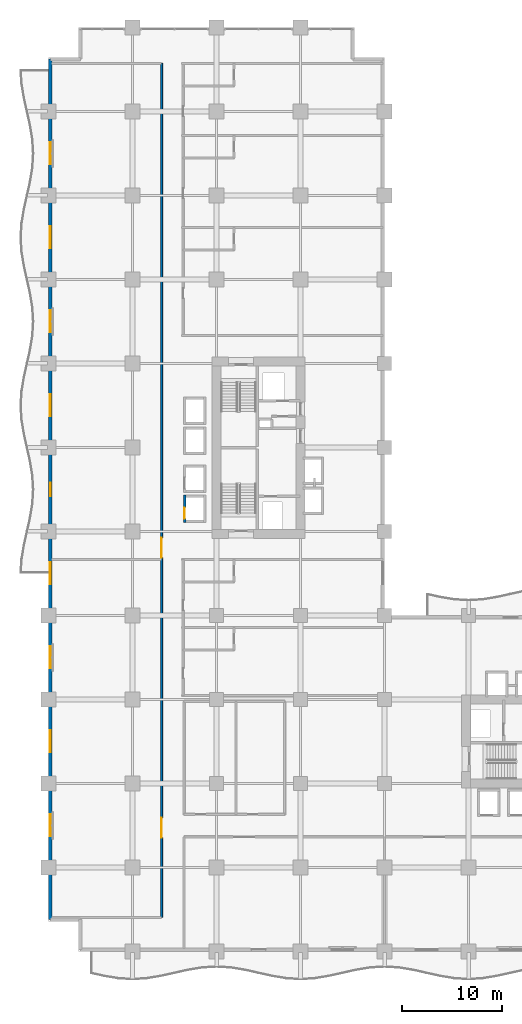
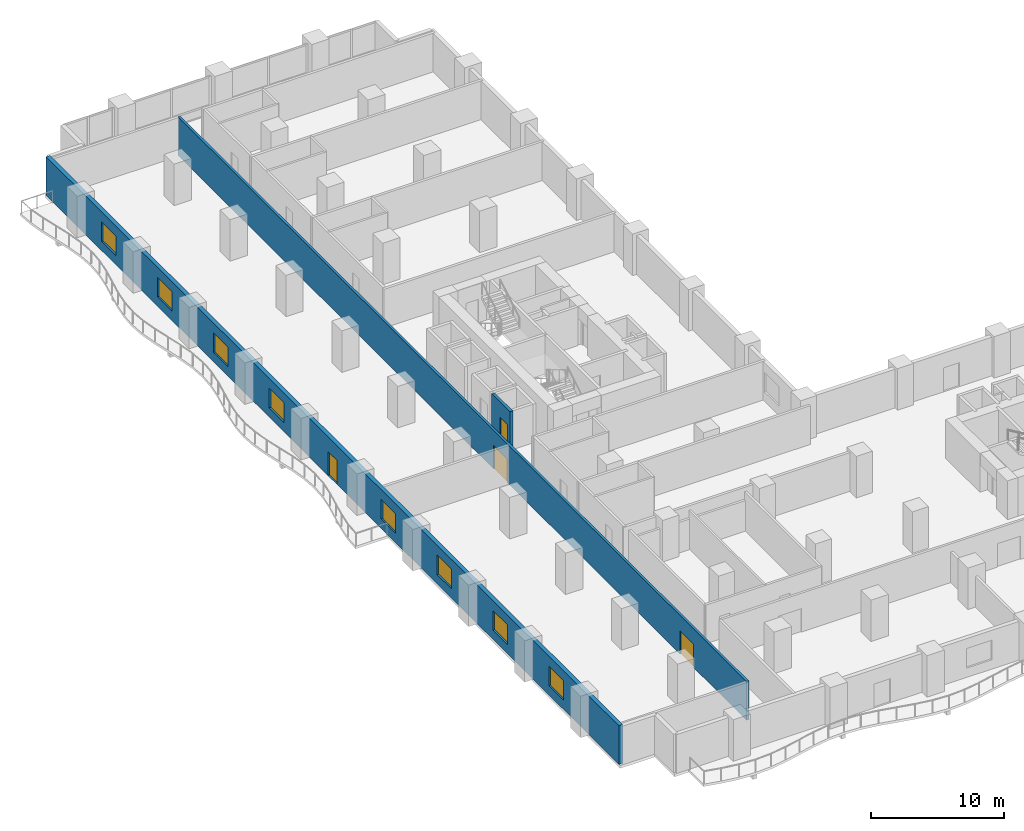
# One storey, part 10 of 21: 8 windows, 4 doors, 3 walls, 12 openings.
"""IFC4 building model written with IfcOpenShell, lengths in metres."""

from ifc_helpers import new_model, si_unit, direction, frame, frame_2d, origin, place, context, subcontext, project, spatial, rectangle, extrude, material, layer, layer_set, type_object, element, fill, save


model = new_model("IFC4")

# Units and contexts
model_context = context("Model", 3, precision=1e-05, world=origin(), true_north=direction((0.0, 1.0)))
body_context = subcontext(model_context, "Body", "Model", "MODEL_VIEW")
ifc_project = project(units=[si_unit("LENGTHUNIT", "METRE"), si_unit("AREAUNIT", "SQUARE_METRE"), si_unit("VOLUMEUNIT", "CUBIC_METRE"), si_unit("PLANEANGLEUNIT", "RADIAN"), si_unit("MASSUNIT", "GRAM", prefix="KILO")], contexts=[model_context])

# Site, building, storey
site_placement = place(None, origin())
site = spatial("IfcSite", under=ifc_project, at=site_placement, CompositionType="ELEMENT")
building_placement = place(site_placement, origin())
building = spatial("IfcBuilding", under=site, at=building_placement, Name="Koriwani Terraces Tower", CompositionType="ELEMENT")
storey_placement = place(building_placement, frame((0.0, 0.0, 77.60009765625)))
storey = spatial("IfcBuildingStorey", under=building, at=storey_placement, Name="L18", CompositionType="ELEMENT", Elevation=77.60009765625)

# Wall, openings, doors
ifc_material_1 = material(Name="Autoclaved Cellular Concrete Blockwork", Category="masonry")
ifc_layer_1 = layer(ifc_material_1, 0.199951171875, Name="Autoclaved Cellular Concrete Blockwork")
ifc_layer_set_1 = layer_set([ifc_layer_1], Name="Autoclaved Cellular Concrete Blockwork")
wall_type_1 = type_object("IfcWallType", Name="WALL_CORRIDOR_200", PredefinedType="PARTITIONING", material=ifc_layer_set_1)
wall_1_placement = place(storey_placement, frame((11.300048828125, 3.39990234375, 0.0), z_axis=(0.0, 0.0, 1.0), x_axis=(0.0, 1.0, 0.0)))
wall_1 = element("IfcWall", 1, at=wall_1_placement, inside=storey, type_object=wall_type_1, Name="L18 Interior Wall WZ1NWCL-L18", PredefinedType="PARTITIONING", context=body_context, shape_type="SweptSolid", body=[
    extrude(rectangle(XDim=85.400146484375, YDim=0.199951171875, at=frame_2d((42.7001953125, 0.0))), origin(), (0.0, 0.0, 1.0), 3.5498046875),
])
opening_1_placement = place(wall_1_placement, frame((8.0, 0.0, 0.0)))
opening_1 = element("IfcOpeningElement", 2, at=opening_1_placement, cuts=wall_1, Name="Opening D-02", PredefinedType="OPENING", context=body_context, shape_type="SweptSolid", body=[
    extrude(rectangle(XDim=2.0, YDim=2.14990234375, at=frame_2d((1.0, 1.074951171875))), frame((0.0, 0.10986328125, 0.0), z_axis=(0.0, -1.0, 0.0), x_axis=(1.0, 0.0, 0.0)), (0.0, 0.0, 1.0), 0.219970703125),
])
opening_2_placement = place(wall_1_placement, frame((36.0, 0.0, 0.0)))
opening_2 = element("IfcOpeningElement", 3, at=opening_2_placement, cuts=wall_1, Name="Opening D-02", PredefinedType="OPENING", context=body_context, shape_type="SweptSolid", body=[
    extrude(rectangle(XDim=2.0, YDim=2.14990234375, at=frame_2d((1.0, 1.074951171875))), frame((0.0, 0.10986328125, 0.0), z_axis=(0.0, -1.0, 0.0), x_axis=(1.0, 0.0, 0.0)), (0.0, 0.0, 1.0), 0.219970703125),
])
ifc_material_2 = material(Name="Anodised Bronze Aluminium", Category="aluminium")
door_type_1 = type_object("IfcDoorType", Name="DOOR_ENTRANCE_DOUBLE_2000X2400", OperationType="NOTDEFINED", PredefinedType="DOOR", material=ifc_material_2)
door_1_placement = place(opening_1_placement, origin())
door_1 = element("IfcDoor", 4, at=door_1_placement, inside=storey, type_object=door_type_1, Name="L18 Hotel Spa Wellness Hall Door", OperationType="SINGLE_SWING_RIGHT", OverallHeight=2.14990234375, OverallWidth=2.0, PredefinedType="DOOR", context=body_context, shape_type="SweptSolid", body=[
    extrude(rectangle(XDim=2.0, YDim=2.14990234375, at=frame_2d((1.0, 1.074951171875))), frame((0.0, 0.02490234375, 0.0), z_axis=(0.0, -1.0, 0.0), x_axis=(1.0, 0.0, 0.0)), (0.0, 0.0, 1.0), 0.050048828125),
])
fill(opening_1, door_1)
door_2_placement = place(opening_2_placement, origin())
door_2 = element("IfcDoor", 5, at=door_2_placement, inside=storey, type_object=door_type_1, Name="L18 Hotel Cinema Conference Door", OperationType="SINGLE_SWING_LEFT", OverallHeight=2.14990234375, OverallWidth=2.0, PredefinedType="DOOR", context=body_context, shape_type="SweptSolid", body=[
    extrude(rectangle(XDim=2.0, YDim=2.14990234375, at=frame_2d((1.0, 1.074951171875))), frame((0.0, 0.02490234375, 0.0), z_axis=(0.0, -1.0, 0.0), x_axis=(1.0, 0.0, 0.0)), (0.0, 0.0, 1.0), 0.050048828125),
])
fill(opening_2, door_2)

# Wall, openings, door, windows
ifc_material_3 = material(Name="Concrete C50/60", Category="concrete")
ifc_layer_2 = layer(ifc_material_3, 0.35009765625, Name="Concrete C50/60")
ifc_layer_set_2 = layer_set([ifc_layer_2], Name="Concrete C50/60")
wall_type_2 = type_object("IfcWallType", Name="WALL_EXT_BRUTALIST_350", PredefinedType="STANDARD", material=ifc_layer_set_2)
wall_2_placement = place(storey_placement, frame((0.175048828125, 3.175048828125, 0.0), z_axis=(0.0, 0.0, 1.0), x_axis=(0.0, 1.0, 0.0)))
wall_2 = element("IfcWall", 6, at=wall_2_placement, inside=storey, type_object=wall_type_2, Name="L18 Fair-Faced Brutalist Exterior Wall (W)", PredefinedType="STANDARD", context=body_context, shape_type="SweptSolid", body=[
    extrude(rectangle(XDim=86.050048828125, YDim=0.35009765625, at=frame_2d((43.02490234375, 0.0))), origin(), (0.0, 0.0, 1.0), 3.5498046875),
])
opening_3_placement = place(wall_2_placement, frame((42.324951171875, 0.0, 0.0)))
opening_3 = element("IfcOpeningElement", 7, at=opening_3_placement, cuts=wall_2, Name="Opening D-09", PredefinedType="OPENING", context=body_context, shape_type="SweptSolid", body=[
    extrude(rectangle(XDim=1.39990234375, YDim=2.199951171875, at=frame_2d((0.699951171875, 1.10009765625))), frame((0.0, 0.18505859375, 0.0), z_axis=(0.0, -1.0, 0.0), x_axis=(1.0, 0.0, 0.0)), (0.0, 0.0, 1.0), 0.3701171875),
])
opening_4_placement = place(wall_2_placement, frame((8.324951171875, 0.0, 0.85009765625)))
opening_4 = element("IfcOpeningElement", 8, at=opening_4_placement, cuts=wall_2, Name="Opening W-01", PredefinedType="OPENING", context=body_context, shape_type="SweptSolid", body=[
    extrude(rectangle(XDim=2.199951171875, YDim=1.800048828125, at=frame_2d((1.10009765625, 0.89990234375))), frame((0.0, 0.18505859375, 0.0), z_axis=(0.0, -1.0, 0.0), x_axis=(1.0, 0.0, 0.0)), (0.0, 0.0, 1.0), 0.3701171875),
])
opening_5_placement = place(wall_2_placement, frame((16.72509765625, 0.0, 0.85009765625)))
opening_5 = element("IfcOpeningElement", 9, at=opening_5_placement, cuts=wall_2, Name="Opening W-01", PredefinedType="OPENING", context=body_context, shape_type="SweptSolid", body=[
    extrude(rectangle(XDim=2.199951171875, YDim=1.800048828125, at=frame_2d((1.10009765625, 0.89990234375))), frame((0.0, 0.18505859375, 0.0), z_axis=(0.0, -1.0, 0.0), x_axis=(1.0, 0.0, 0.0)), (0.0, 0.0, 1.0), 0.3701171875),
])
opening_6_placement = place(wall_2_placement, frame((25.125, 0.0, 0.85009765625)))
opening_6 = element("IfcOpeningElement", 10, at=opening_6_placement, cuts=wall_2, Name="Opening W-01", PredefinedType="OPENING", context=body_context, shape_type="SweptSolid", body=[
    extrude(rectangle(XDim=2.199951171875, YDim=1.800048828125, at=frame_2d((1.10009765625, 0.89990234375))), frame((0.0, 0.18505859375, 0.0), z_axis=(0.0, -1.0, 0.0), x_axis=(1.0, 0.0, 0.0)), (0.0, 0.0, 1.0), 0.3701171875),
])
opening_7_placement = place(wall_2_placement, frame((33.52490234375, 0.0, 0.85009765625)))
opening_7 = element("IfcOpeningElement", 11, at=opening_7_placement, cuts=wall_2, Name="Opening W-01", PredefinedType="OPENING", context=body_context, shape_type="SweptSolid", body=[
    extrude(rectangle(XDim=2.199951171875, YDim=1.800048828125, at=frame_2d((1.10009765625, 0.89990234375))), frame((0.0, 0.18505859375, 0.0), z_axis=(0.0, -1.0, 0.0), x_axis=(1.0, 0.0, 0.0)), (0.0, 0.0, 1.0), 0.3701171875),
])
opening_8_placement = place(wall_2_placement, frame((50.324951171875, 0.0, 0.85009765625)))
opening_8 = element("IfcOpeningElement", 12, at=opening_8_placement, cuts=wall_2, Name="Opening W-01", PredefinedType="OPENING", context=body_context, shape_type="SweptSolid", body=[
    extrude(rectangle(XDim=2.199951171875, YDim=1.800048828125, at=frame_2d((1.10009765625, 0.89990234375))), frame((0.0, 0.18505859375, 0.0), z_axis=(0.0, -1.0, 0.0), x_axis=(1.0, 0.0, 0.0)), (0.0, 0.0, 1.0), 0.3701171875),
])
opening_9_placement = place(wall_2_placement, frame((58.72509765625, 0.0, 0.85009765625)))
opening_9 = element("IfcOpeningElement", 13, at=opening_9_placement, cuts=wall_2, Name="Opening W-01", PredefinedType="OPENING", context=body_context, shape_type="SweptSolid", body=[
    extrude(rectangle(XDim=2.199951171875, YDim=1.800048828125, at=frame_2d((1.10009765625, 0.89990234375))), frame((0.0, 0.18505859375, 0.0), z_axis=(0.0, -1.0, 0.0), x_axis=(1.0, 0.0, 0.0)), (0.0, 0.0, 1.0), 0.3701171875),
])
opening_10_placement = place(wall_2_placement, frame((67.125, 0.0, 0.85009765625)))
opening_10 = element("IfcOpeningElement", 14, at=opening_10_placement, cuts=wall_2, Name="Opening W-01", PredefinedType="OPENING", context=body_context, shape_type="SweptSolid", body=[
    extrude(rectangle(XDim=2.199951171875, YDim=1.800048828125, at=frame_2d((1.10009765625, 0.89990234375))), frame((0.0, 0.18505859375, 0.0), z_axis=(0.0, -1.0, 0.0), x_axis=(1.0, 0.0, 0.0)), (0.0, 0.0, 1.0), 0.3701171875),
])
opening_11_placement = place(wall_2_placement, frame((75.52490234375, 0.0, 0.85009765625)))
opening_11 = element("IfcOpeningElement", 15, at=opening_11_placement, cuts=wall_2, Name="Opening W-01", PredefinedType="OPENING", context=body_context, shape_type="SweptSolid", body=[
    extrude(rectangle(XDim=2.199951171875, YDim=1.800048828125, at=frame_2d((1.10009765625, 0.89990234375))), frame((0.0, 0.18505859375, 0.0), z_axis=(0.0, -1.0, 0.0), x_axis=(1.0, 0.0, 0.0)), (0.0, 0.0, 1.0), 0.3701171875),
])
door_type_2 = type_object("IfcDoorType", Name="DOOR_BALCONY_GLAZED_1400X2200", OperationType="NOTDEFINED", PredefinedType="DOOR", material=ifc_material_2)
door_3_placement = place(opening_3_placement, origin())
door_3 = element("IfcDoor", 16, at=door_3_placement, inside=storey, type_object=door_type_2, Name="L18 West Balcony Glazed Door", OperationType="SINGLE_SWING_LEFT", OverallHeight=2.199951171875, OverallWidth=1.39990234375, PredefinedType="DOOR", context=body_context, shape_type="SweptSolid", body=[
    extrude(rectangle(XDim=1.39990234375, YDim=2.199951171875, at=frame_2d((0.699951171875, 1.10009765625))), frame((0.0, 0.02490234375, 0.0), z_axis=(0.0, -1.0, 0.0), x_axis=(1.0, 0.0, 0.0)), (0.0, 0.0, 1.0), 0.050048828125),
])
fill(opening_3, door_3)
ifc_material_4 = material(Name="Tempered Laminated Low-E Glass", Category="glass")
window_type = type_object("IfcWindowType", Name="WIN_HOTEL_STD_2200X1800", PartitioningType="DOUBLE_PANEL_VERTICAL", PredefinedType="WINDOW", material=ifc_material_4)
window_1_placement = place(opening_4_placement, origin())
window_1 = element("IfcWindow", 17, at=window_1_placement, inside=storey, type_object=window_type, Name="L18 Exterior Window (W-3)", OverallHeight=1.800048828125, OverallWidth=2.199951171875, PartitioningType="SINGLE_PANEL", PredefinedType="WINDOW", context=body_context, shape_type="SweptSolid", body=[
    extrude(rectangle(XDim=2.199951171875, YDim=1.800048828125, at=frame_2d((1.10009765625, 0.89990234375))), frame((0.0, 0.030029296875, 0.0), z_axis=(0.0, -1.0, 0.0), x_axis=(1.0, 0.0, 0.0)), (0.0, 0.0, 1.0), 0.06005859375),
])
fill(opening_4, window_1)
window_2_placement = place(opening_5_placement, origin())
window_2 = element("IfcWindow", 18, at=window_2_placement, inside=storey, type_object=window_type, Name="L18 Exterior Window (W-6)", OverallHeight=1.800048828125, OverallWidth=2.199951171875, PartitioningType="SINGLE_PANEL", PredefinedType="WINDOW", context=body_context, shape_type="SweptSolid", body=[
    extrude(rectangle(XDim=2.199951171875, YDim=1.800048828125, at=frame_2d((1.10009765625, 0.89990234375))), frame((0.0, 0.030029296875, 0.0), z_axis=(0.0, -1.0, 0.0), x_axis=(1.0, 0.0, 0.0)), (0.0, 0.0, 1.0), 0.06005859375),
])
fill(opening_5, window_2)
window_3_placement = place(opening_6_placement, origin())
window_3 = element("IfcWindow", 19, at=window_3_placement, inside=storey, type_object=window_type, Name="L18 Exterior Window (W-9)", OverallHeight=1.800048828125, OverallWidth=2.199951171875, PartitioningType="SINGLE_PANEL", PredefinedType="WINDOW", context=body_context, shape_type="SweptSolid", body=[
    extrude(rectangle(XDim=2.199951171875, YDim=1.800048828125, at=frame_2d((1.10009765625, 0.89990234375))), frame((0.0, 0.030029296875, 0.0), z_axis=(0.0, -1.0, 0.0), x_axis=(1.0, 0.0, 0.0)), (0.0, 0.0, 1.0), 0.06005859375),
])
fill(opening_6, window_3)
window_4_placement = place(opening_7_placement, origin())
window_4 = element("IfcWindow", 20, at=window_4_placement, inside=storey, type_object=window_type, Name="L18 Exterior Window (W-12)", OverallHeight=1.800048828125, OverallWidth=2.199951171875, PartitioningType="SINGLE_PANEL", PredefinedType="WINDOW", context=body_context, shape_type="SweptSolid", body=[
    extrude(rectangle(XDim=2.199951171875, YDim=1.800048828125, at=frame_2d((1.10009765625, 0.89990234375))), frame((0.0, 0.030029296875, 0.0), z_axis=(0.0, -1.0, 0.0), x_axis=(1.0, 0.0, 0.0)), (0.0, 0.0, 1.0), 0.06005859375),
])
fill(opening_7, window_4)
window_5_placement = place(opening_8_placement, origin())
window_5 = element("IfcWindow", 21, at=window_5_placement, inside=storey, type_object=window_type, Name="L18 Exterior Window (W-18)", OverallHeight=1.800048828125, OverallWidth=2.199951171875, PartitioningType="SINGLE_PANEL", PredefinedType="WINDOW", context=body_context, shape_type="SweptSolid", body=[
    extrude(rectangle(XDim=2.199951171875, YDim=1.800048828125, at=frame_2d((1.10009765625, 0.89990234375))), frame((0.0, 0.030029296875, 0.0), z_axis=(0.0, -1.0, 0.0), x_axis=(1.0, 0.0, 0.0)), (0.0, 0.0, 1.0), 0.06005859375),
])
fill(opening_8, window_5)
window_6_placement = place(opening_9_placement, origin())
window_6 = element("IfcWindow", 22, at=window_6_placement, inside=storey, type_object=window_type, Name="L18 Exterior Window (W-21)", OverallHeight=1.800048828125, OverallWidth=2.199951171875, PartitioningType="SINGLE_PANEL", PredefinedType="WINDOW", context=body_context, shape_type="SweptSolid", body=[
    extrude(rectangle(XDim=2.199951171875, YDim=1.800048828125, at=frame_2d((1.10009765625, 0.89990234375))), frame((0.0, 0.030029296875, 0.0), z_axis=(0.0, -1.0, 0.0), x_axis=(1.0, 0.0, 0.0)), (0.0, 0.0, 1.0), 0.06005859375),
])
fill(opening_9, window_6)
window_7_placement = place(opening_10_placement, origin())
window_7 = element("IfcWindow", 23, at=window_7_placement, inside=storey, type_object=window_type, Name="L18 Exterior Window (W-24)", OverallHeight=1.800048828125, OverallWidth=2.199951171875, PartitioningType="SINGLE_PANEL", PredefinedType="WINDOW", context=body_context, shape_type="SweptSolid", body=[
    extrude(rectangle(XDim=2.199951171875, YDim=1.800048828125, at=frame_2d((1.10009765625, 0.89990234375))), frame((0.0, 0.030029296875, 0.0), z_axis=(0.0, -1.0, 0.0), x_axis=(1.0, 0.0, 0.0)), (0.0, 0.0, 1.0), 0.06005859375),
])
fill(opening_10, window_7)
window_8_placement = place(opening_11_placement, origin())
window_8 = element("IfcWindow", 24, at=window_8_placement, inside=storey, type_object=window_type, Name="L18 Exterior Window (W-27)", OverallHeight=1.800048828125, OverallWidth=2.199951171875, PartitioningType="SINGLE_PANEL", PredefinedType="WINDOW", context=body_context, shape_type="SweptSolid", body=[
    extrude(rectangle(XDim=2.199951171875, YDim=1.800048828125, at=frame_2d((1.10009765625, 0.89990234375))), frame((0.0, 0.030029296875, 0.0), z_axis=(0.0, -1.0, 0.0), x_axis=(1.0, 0.0, 0.0)), (0.0, 0.0, 1.0), 0.06005859375),
])
fill(opening_11, window_8)

# Wall, opening, door
ifc_material_5 = material(Name="Concrete C40/50", Category="concrete")
ifc_layer_3 = layer(ifc_material_5, 0.25, Name="Concrete C40/50")
ifc_layer_set_3 = layer_set([ifc_layer_3], Name="Concrete C40/50")
wall_type_3 = type_object("IfcWallType", Name="WALL_SHAFT_RATED_250", PredefinedType="SOLIDWALL", material=ifc_layer_set_3)
wall_3_placement = place(storey_placement, frame((13.60009765625, 42.875, 0.0), z_axis=(0.0, 0.0, 1.0), x_axis=(0.0, 1.0, 0.0)))
wall_3 = element("IfcWall", 25, at=wall_3_placement, inside=storey, type_object=wall_type_3, Name="L18 Interior Wall WIN-LF-PE-L1-L18-F", PredefinedType="SOLIDWALL", context=body_context, shape_type="SweptSolid", body=[
    extrude(rectangle(XDim=2.75, YDim=0.25, at=frame_2d((1.375, 0.0))), origin(), (0.0, 0.0, 1.0), 3.5498046875),
])
opening_12_placement = place(wall_3_placement, frame((0.39990234375, 0.0, 0.0)))
opening_12 = element("IfcOpeningElement", 26, at=opening_12_placement, cuts=wall_3, Name="Opening LD-01", PredefinedType="OPENING", context=body_context, shape_type="SweptSolid", body=[
    extrude(rectangle(XDim=1.10009765625, YDim=2.14990234375, at=frame_2d((0.550048828125, 1.074951171875))), frame((0.0, 0.135009765625, 0.0), z_axis=(0.0, -1.0, 0.0), x_axis=(1.0, 0.0, 0.0)), (0.0, 0.0, 1.0), 0.27001953125),
])
ifc_material_6 = material(Name="Steel ASTM A572 Grade 50", Category="steel")
door_type_3 = type_object("IfcDoorType", Name="DOOR_LIFT_LANDING_1100X2200", OperationType="NOTDEFINED", PredefinedType="DOOR", material=ifc_material_6)
door_4_placement = place(opening_12_placement, origin())
door_4 = element("IfcDoor", 27, at=door_4_placement, inside=storey, type_object=door_type_3, Name="L18 Passenger Lift PE-L1 Landing Door", OperationType="SLIDING_TO_LEFT", OverallHeight=2.14990234375, OverallWidth=1.10009765625, PredefinedType="DOOR", context=body_context, shape_type="SweptSolid", body=[
    extrude(rectangle(XDim=1.10009765625, YDim=2.14990234375, at=frame_2d((0.550048828125, 1.074951171875))), frame((0.0, 0.02490234375, 0.0), z_axis=(0.0, -1.0, 0.0), x_axis=(1.0, 0.0, 0.0)), (0.0, 0.0, 1.0), 0.050048828125),
])
fill(opening_12, door_4)

save(model, "model.ifc")
